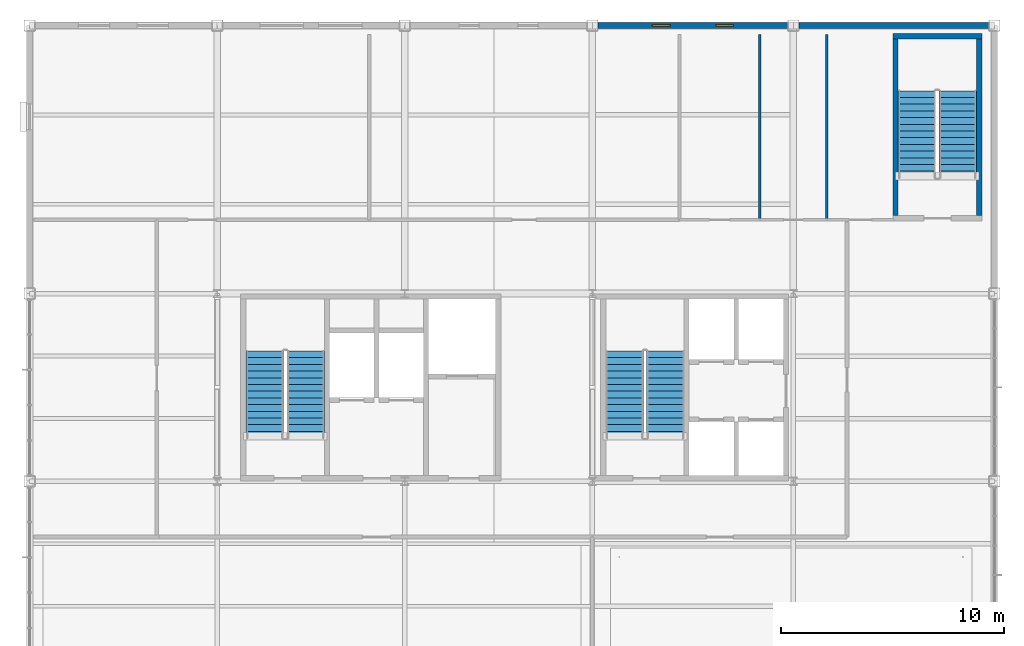
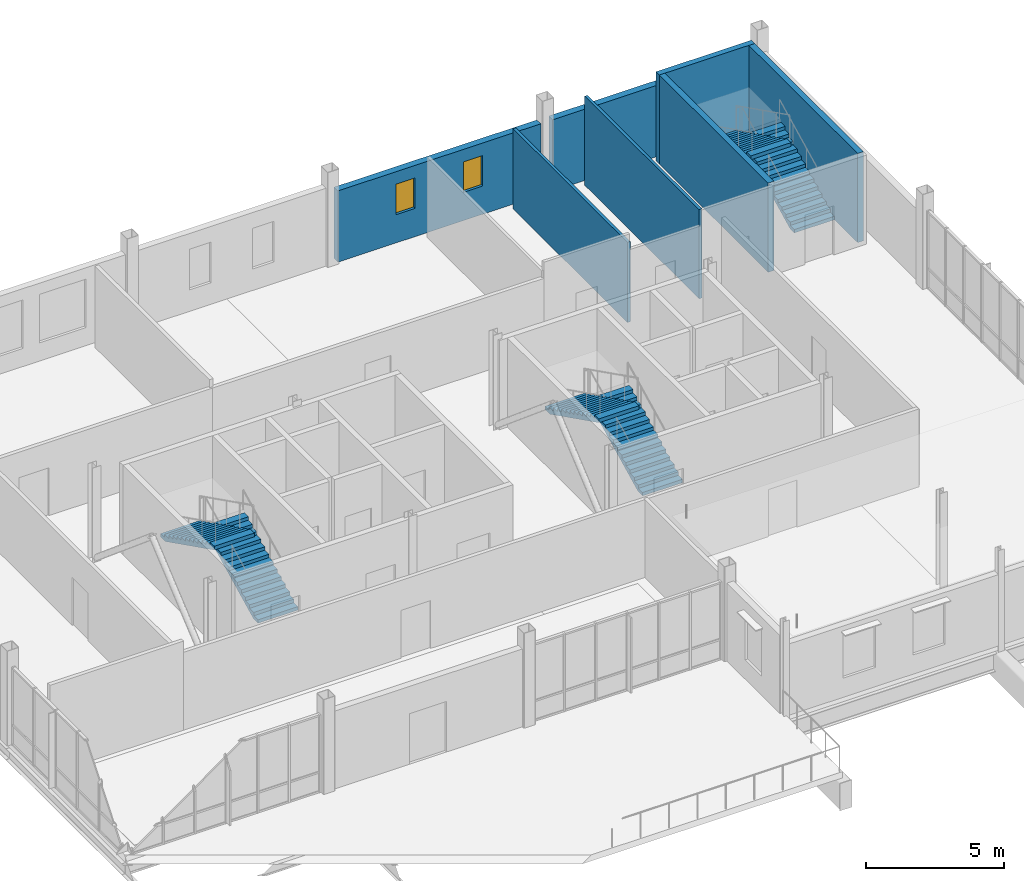
# One storey, part 16 of 22: 7 walls, 6 stair flights, 2 windows, 2 openings, 3 elements without a shape of their own.
"""IFC4 building model written with IfcOpenShell, lengths in metres."""

from ifc_helpers import new_model, si_unit, direction, frame, frame_2d, origin, place, context, subcontext, project, spatial, polyline, rectangle, outline, extrude, material, layer, layer_set, type_object, element, fill, aggregate, save


model = new_model("IFC4")

# Units and contexts
model_context = context("Model", 3, precision=1e-05, world=origin(), true_north=direction((0.0, 1.0)))
body_context = subcontext(model_context, "Body", "Model", "MODEL_VIEW")
ifc_project = project(units=[si_unit("LENGTHUNIT", "METRE"), si_unit("AREAUNIT", "SQUARE_METRE"), si_unit("VOLUMEUNIT", "CUBIC_METRE"), si_unit("PLANEANGLEUNIT", "RADIAN"), si_unit("MASSUNIT", "GRAM", prefix="KILO")], contexts=[model_context])

# Site, building, storey
site_placement = place(None, origin())
site = spatial("IfcSite", under=ifc_project, at=site_placement, CompositionType="ELEMENT")
building_placement = place(site_placement, origin())
building = spatial("IfcBuilding", under=site, at=building_placement, Name="Yukiwa Park Conservatory and Herbarium", CompositionType="ELEMENT")
storey_placement = place(building_placement, frame((0.0, 0.0, 35.39990234375)))
storey = spatial("IfcBuildingStorey", under=building, at=storey_placement, Name="L09", CompositionType="ELEMENT", Elevation=35.39990234375)

# Walls
ifc_material_1 = material(Name="Concrete C50", Category="concrete")
ifc_layer_1 = layer(ifc_material_1, 0.239990234375)
ifc_layer_set_1 = layer_set([ifc_layer_1], Name="Concrete C50")
wall_type_1 = type_object("IfcWallType", Name="WL-CORE-RC240", PredefinedType="SHEAR", material=ifc_layer_set_1)
wall_1_placement = place(storey_placement, frame((163.449951171875, 114.719970703125, 0.0), z_axis=(0.0, 0.0, 1.0), x_axis=(1.0, 0.0, 0.0)))
element("IfcWall", 1, at=wall_1_placement, inside=storey, type_object=wall_type_1, Name="L09 core shear wall 594", PredefinedType="SHEAR", context=body_context, shape_type="SweptSolid", body=[
    extrude(rectangle(XDim=3.989990234375, YDim=0.239990234375, at=frame_2d((1.9951171875, 0.0))), origin(), (0.0, 0.0, 1.0), 3.947998046875),
])
for number, where, z_axis, x_axis, name in (
    (2, (163.570068359375, 106.699951171875, 0.0), (0.0, 0.0, 1.0), (0.0, 1.0, 0.0), "L09 core shear wall 595"),
    (3, (167.320068359375, 106.699951171875, 0.0), (0.0, 0.0, 1.0), (0.0, 1.0, 0.0), "L09 core shear wall 596"),
):
    element("IfcWall", number, at=place(storey_placement, frame(where, z_axis=z_axis, x_axis=x_axis)), inside=storey, type_object=wall_type_1, Name=name, PredefinedType="SHEAR", context=body_context, shape_type="SweptSolid", body=[
        extrude(rectangle(XDim=7.900146484375, YDim=0.239990234375, at=frame_2d((3.9501953125, 0.0))), origin(), (0.0, 0.0, 1.0), 3.947998046875),
    ])
ifc_material_2 = material(Name="Pale Granite Cladding", Category="masonry")
ifc_layer_2 = layer(ifc_material_2, 0.280029296875)
ifc_layer_set_2 = layer_set([ifc_layer_2], Name="Pale Granite Cladding")
wall_type_2 = type_object("IfcWallType", Name="WL-EXT-GRAN-280", PredefinedType="SOLIDWALL", material=ifc_layer_set_2)
wall_2_placement = place(storey_placement, frame((167.75, 115.199951171875, 0.0), z_axis=(0.0, 0.0, 1.0), x_axis=(-1.0, 0.0, 0.0)))
element("IfcWall", 4, at=wall_2_placement, inside=storey, type_object=wall_type_2, Name="L09 exterior envelope wall 338", PredefinedType="SOLIDWALL", context=body_context, shape_type="SweptSolid", body=[
    extrude(rectangle(XDim=8.5, YDim=0.280029296875, at=frame_2d((4.25, 0.0))), origin(), (0.0, 0.0, 1.0), 3.156005859375),
])

# Wall, openings, windows
wall_3_placement = place(storey_placement, frame((158.75, 115.199951171875, 0.0), z_axis=(0.0, 0.0, 1.0), x_axis=(-1.0, 0.0, 0.0)))
wall_3 = element("IfcWall", 5, at=wall_3_placement, inside=storey, type_object=wall_type_2, Name="L09 exterior envelope wall 339", PredefinedType="SOLIDWALL", context=body_context, shape_type="SweptSolid", body=[
    extrude(rectangle(XDim=8.5, YDim=0.280029296875, at=frame_2d((4.25, 0.0))), origin(), (0.0, 0.0, 1.0), 3.156005859375),
])
opening_1_placement = place(wall_3_placement, frame((2.43310546875, 0.0, 1.25)))
opening_1 = element("IfcOpeningElement", 6, at=opening_1_placement, cuts=wall_3, Name="Opening W-20", PredefinedType="OPENING", context=body_context, shape_type="SweptSolid", body=[
    extrude(rectangle(XDim=0.800048828125, YDim=1.35009765625, at=frame_2d((0.39990234375, 0.675048828125))), frame((0.0, 0.14990234375, 0.0), z_axis=(0.0, -1.0, 0.0), x_axis=(1.0, 0.0, 0.0)), (0.0, 0.0, 1.0), 0.300048828125),
])
opening_2_placement = place(wall_3_placement, frame((5.26708984375, 0.0, 1.25)))
opening_2 = element("IfcOpeningElement", 7, at=opening_2_placement, cuts=wall_3, Name="Opening W-20", PredefinedType="OPENING", context=body_context, shape_type="SweptSolid", body=[
    extrude(rectangle(XDim=0.800048828125, YDim=1.35009765625, at=frame_2d((0.39990234375, 0.675048828125))), frame((0.0, 0.14990234375, 0.0), z_axis=(0.0, -1.0, 0.0), x_axis=(1.0, 0.0, 0.0)), (0.0, 0.0, 1.0), 0.300048828125),
])
ifc_material_3 = material(Name="Triple Low-E Insulated Glass", Category="glass")
window_type = type_object("IfcWindowType", Name="WN-WC-0800X1350", PartitioningType="SINGLE_PANEL", PredefinedType="WINDOW", material=ifc_material_3)
window_1_placement = place(opening_1_placement, origin())
window_1 = element("IfcWindow", 8, at=window_1_placement, inside=storey, type_object=window_type, Name="L09 deep-reveal triple-glazed window 261", OverallHeight=1.35009765625, OverallWidth=0.800048828125, PartitioningType="SINGLE_PANEL", PredefinedType="WINDOW", context=body_context, shape_type="SweptSolid", body=[
    extrude(rectangle(XDim=0.800048828125, YDim=1.35009765625, at=frame_2d((0.39990234375, 0.675048828125))), frame((0.0, 0.030029296875, 0.0), z_axis=(0.0, -1.0, 0.0), x_axis=(1.0, 0.0, 0.0)), (0.0, 0.0, 1.0), 0.06005859375),
])
fill(opening_1, window_1)
window_2_placement = place(opening_2_placement, origin())
window_2 = element("IfcWindow", 9, at=window_2_placement, inside=storey, type_object=window_type, Name="L09 deep-reveal triple-glazed window 262", OverallHeight=1.35009765625, OverallWidth=0.800048828125, PartitioningType="SINGLE_PANEL", PredefinedType="WINDOW", context=body_context, shape_type="SweptSolid", body=[
    extrude(rectangle(XDim=0.800048828125, YDim=1.35009765625, at=frame_2d((0.39990234375, 0.675048828125))), frame((0.0, 0.030029296875, 0.0), z_axis=(0.0, -1.0, 0.0), x_axis=(1.0, 0.0, 0.0)), (0.0, 0.0, 1.0), 0.06005859375),
])
fill(opening_2, window_2)

# Walls
ifc_material_4 = material(Name="Gypsum Board Partition", Category="gypsum")
ifc_layer_3 = layer(ifc_material_4, 0.1201171875)
ifc_layer_set_3 = layer_set([ifc_layer_3], Name="Gypsum Board Partition")
wall_type_3 = type_object("IfcWallType", Name="WL-PART-WET-150", PredefinedType="PARTITIONING", material=ifc_layer_set_3)
wall_4_placement = place(storey_placement, frame((157.5, 106.5, 0.0), z_axis=(0.0, 0.0, 1.0), x_axis=(0.0, 1.0, 0.0)))
element("IfcWall", 10, at=wall_4_placement, inside=storey, type_object=wall_type_3, Name="L09 interior partition wall 601", PredefinedType="PARTITIONING", context=body_context, shape_type="SweptSolid", body=[
    extrude(rectangle(XDim=8.300048828125, YDim=0.1201171875, at=frame_2d((4.14990234375, 0.0))), origin(), (0.0, 0.0, 1.0), 3.552001953125),
])
wall_5_placement = place(storey_placement, frame((160.5, 106.5, 0.0), z_axis=(0.0, 0.0, 1.0), x_axis=(0.0, 1.0, 0.0)))
element("IfcWall", 11, at=wall_5_placement, inside=storey, type_object=wall_type_3, Name="L09 interior partition wall 602", PredefinedType="PARTITIONING", context=body_context, shape_type="SweptSolid", body=[
    extrude(rectangle(XDim=8.300048828125, YDim=0.1201171875, at=frame_2d((4.14990234375, 0.0))), origin(), (0.0, 0.0, 1.0), 3.947998046875),
])

# Stair, stair flights
ifc_material_5 = material(Name="Concrete C40", Category="concrete")
stair_type_1 = type_object("IfcStairType", Name="ST-DOGLEG-ST-T1", PredefinedType="HALF_TURN_STAIR", material=ifc_material_5)
stair_1_placement = place(storey_placement, origin())
stair_1 = element("IfcStair", 12, at=stair_1_placement, inside=storey, type_object=stair_type_1, Name="L09 Protected Smoke-Proof Stair ST-T1", PredefinedType="HALF_TURN_STAIR")
ifc_material_6 = material(Name="Concrete C40", Category="concrete")
stair_flight_type = type_object("IfcStairFlightType", Name="STF-RC-1680", PredefinedType="STRAIGHT", material=ifc_material_6)
stair_flight_1_placement = place(storey_placement, frame((137.159912109375, 96.72998046875, 0.0), z_axis=(0.0, 0.0, 1.0), x_axis=(0.0, 1.0, 0.0)))
stair_flight_1 = element("IfcStairFlight", 13, at=stair_flight_1_placement, type_object=stair_flight_type, Name="ST-T1 flight 1", NumberOfRisers=14, NumberOfTreads=13, PredefinedType="STRAIGHT", RiserHeight=0.15, TreadLength=0.3, context=body_context, shape_type="SweptSolid", body=[
    extrude(outline(polyline([(0.0, 0.0), (0.0, 0.14990234375), (0.300048828125, 0.14990234375), (0.300048828125, 0.300048828125), (0.60009765625, 0.300048828125), (0.60009765625, 0.449951171875), (0.89990234375, 0.449951171875), (0.89990234375, 0.60009765625), (1.199951171875, 0.60009765625), (1.199951171875, 0.75), (1.5, 0.75), (1.5, 0.89990234375), (1.800048828125, 0.89990234375), (1.800048828125, 1.050048828125), (2.10009765625, 1.050048828125), (2.10009765625, 1.199951171875), (2.39990234375, 1.199951171875), (2.39990234375, 1.35009765625), (2.699951171875, 1.35009765625), (2.699951171875, 1.5), (3.0, 1.5), (3.0, 1.64990234375), (3.300048828125, 1.64990234375), (3.300048828125, 1.800048828125), (3.60009765625, 1.800048828125), (3.60009765625, 1.949951171875), (3.89990234375, 1.949951171875), (3.89990234375, 2.10009765625), (3.89990234375, 1.782470703125), (0.335205078125, 0.0), (0.0, 0.0)])), frame((0.0, 0.83984375, 0.0), z_axis=(0.0, -1.0, 0.0), x_axis=(1.0, 0.0, 0.0)), (0.0, 0.0, 1.0), 1.679931640625),
])
stair_flight_2_placement = place(storey_placement, frame((135.330078125, 100.6298828125, 2.10009765625), z_axis=(0.0, 0.0, 1.0), x_axis=(0.0, -1.0, 0.0)))
stair_flight_2 = element("IfcStairFlight", 14, at=stair_flight_2_placement, type_object=stair_flight_type, Name="ST-T1 flight 2", NumberOfRisers=14, NumberOfTreads=13, PredefinedType="STRAIGHT", RiserHeight=0.15, TreadLength=0.3, context=body_context, shape_type="SweptSolid", body=[
    extrude(outline(polyline([(0.0, 0.0), (0.0, 0.14990234375), (0.300048828125, 0.14990234375), (0.300048828125, 0.300048828125), (0.60009765625, 0.300048828125), (0.60009765625, 0.449951171875), (0.89990234375, 0.449951171875), (0.89990234375, 0.60009765625), (1.199951171875, 0.60009765625), (1.199951171875, 0.75), (1.5, 0.75), (1.5, 0.89990234375), (1.800048828125, 0.89990234375), (1.800048828125, 1.050048828125), (2.10009765625, 1.050048828125), (2.10009765625, 1.199951171875), (2.39990234375, 1.199951171875), (2.39990234375, 1.35009765625), (2.699951171875, 1.35009765625), (2.699951171875, 1.5), (3.0, 1.5), (3.0, 1.64990234375), (3.300048828125, 1.64990234375), (3.300048828125, 1.800048828125), (3.60009765625, 1.800048828125), (3.60009765625, 1.949951171875), (3.89990234375, 1.949951171875), (3.89990234375, 2.10009765625), (3.89990234375, 1.782470703125), (0.335205078125, 0.0), (0.0, 0.0)])), frame((0.0, 0.83984375, 0.0), z_axis=(0.0, -1.0, 0.0), x_axis=(1.0, 0.0, 0.0)), (0.0, 0.0, 1.0), 1.679931640625),
])
aggregate(stair_1, [stair_flight_1, stair_flight_2])

ifc_material_7 = material(Name="Concrete C40", Category="concrete")
stair_type_2 = type_object("IfcStairType", Name="ST-DOGLEG-ST-T2", PredefinedType="HALF_TURN_STAIR", material=ifc_material_7)
stair_2_placement = place(storey_placement, origin())
stair_2 = element("IfcStair", 15, at=stair_2_placement, inside=storey, type_object=stair_type_2, Name="L09 Protected Smoke-Proof Stair ST-T2", PredefinedType="HALF_TURN_STAIR")
stair_flight_3_placement = place(storey_placement, frame((153.27001953125, 96.72998046875, 0.0), z_axis=(0.0, 0.0, 1.0), x_axis=(0.0, 1.0, 0.0)))
stair_flight_3 = element("IfcStairFlight", 16, at=stair_flight_3_placement, type_object=stair_flight_type, Name="ST-T2 flight 1", NumberOfRisers=14, NumberOfTreads=13, PredefinedType="STRAIGHT", RiserHeight=0.15, TreadLength=0.3, context=body_context, shape_type="SweptSolid", body=[
    extrude(outline(polyline([(0.0, 0.0), (0.0, 0.14990234375), (0.300048828125, 0.14990234375), (0.300048828125, 0.300048828125), (0.60009765625, 0.300048828125), (0.60009765625, 0.449951171875), (0.89990234375, 0.449951171875), (0.89990234375, 0.60009765625), (1.199951171875, 0.60009765625), (1.199951171875, 0.75), (1.5, 0.75), (1.5, 0.89990234375), (1.800048828125, 0.89990234375), (1.800048828125, 1.050048828125), (2.10009765625, 1.050048828125), (2.10009765625, 1.199951171875), (2.39990234375, 1.199951171875), (2.39990234375, 1.35009765625), (2.699951171875, 1.35009765625), (2.699951171875, 1.5), (3.0, 1.5), (3.0, 1.64990234375), (3.300048828125, 1.64990234375), (3.300048828125, 1.800048828125), (3.60009765625, 1.800048828125), (3.60009765625, 1.949951171875), (3.89990234375, 1.949951171875), (3.89990234375, 2.10009765625), (3.89990234375, 1.782470703125), (0.335205078125, 0.0), (0.0, 0.0)])), frame((0.0, 0.83984375, 0.0), z_axis=(0.0, -1.0, 0.0), x_axis=(1.0, 0.0, 0.0)), (0.0, 0.0, 1.0), 1.679931640625),
])
stair_flight_4_placement = place(storey_placement, frame((151.43994140625, 100.6298828125, 2.10009765625), z_axis=(0.0, 0.0, 1.0), x_axis=(0.0, -1.0, 0.0)))
stair_flight_4 = element("IfcStairFlight", 17, at=stair_flight_4_placement, type_object=stair_flight_type, Name="ST-T2 flight 2", NumberOfRisers=14, NumberOfTreads=13, PredefinedType="STRAIGHT", RiserHeight=0.15, TreadLength=0.3, context=body_context, shape_type="SweptSolid", body=[
    extrude(outline(polyline([(0.0, 0.0), (0.0, 0.14990234375), (0.300048828125, 0.14990234375), (0.300048828125, 0.300048828125), (0.60009765625, 0.300048828125), (0.60009765625, 0.449951171875), (0.89990234375, 0.449951171875), (0.89990234375, 0.60009765625), (1.199951171875, 0.60009765625), (1.199951171875, 0.75), (1.5, 0.75), (1.5, 0.89990234375), (1.800048828125, 0.89990234375), (1.800048828125, 1.050048828125), (2.10009765625, 1.050048828125), (2.10009765625, 1.199951171875), (2.39990234375, 1.199951171875), (2.39990234375, 1.35009765625), (2.699951171875, 1.35009765625), (2.699951171875, 1.5), (3.0, 1.5), (3.0, 1.64990234375), (3.300048828125, 1.64990234375), (3.300048828125, 1.800048828125), (3.60009765625, 1.800048828125), (3.60009765625, 1.949951171875), (3.89990234375, 1.949951171875), (3.89990234375, 2.10009765625), (3.89990234375, 1.782470703125), (0.335205078125, 0.0), (0.0, 0.0)])), frame((0.0, 0.83984375, 0.0), z_axis=(0.0, -1.0, 0.0), x_axis=(1.0, 0.0, 0.0)), (0.0, 0.0, 1.0), 1.679931640625),
])
aggregate(stair_2, [stair_flight_3, stair_flight_4])

ifc_material_8 = material(Name="Concrete C40", Category="concrete")
stair_type_3 = type_object("IfcStairType", Name="ST-DOGLEG-ST-T3", PredefinedType="HALF_TURN_STAIR", material=ifc_material_8)
stair_3_placement = place(storey_placement, origin())
stair_3 = element("IfcStair", 18, at=stair_3_placement, inside=storey, type_object=stair_type_3, Name="L09 Protected Smoke-Proof Stair ST-T3", PredefinedType="HALF_TURN_STAIR")
stair_flight_5_placement = place(storey_placement, frame((166.360107421875, 108.3798828125, 0.0), z_axis=(0.0, 0.0, 1.0), x_axis=(0.0, 1.0, 0.0)))
stair_flight_5 = element("IfcStairFlight", 19, at=stair_flight_5_placement, type_object=stair_flight_type, Name="ST-T3 flight 1", NumberOfRisers=14, NumberOfTreads=13, PredefinedType="STRAIGHT", RiserHeight=0.15, TreadLength=0.3, context=body_context, shape_type="SweptSolid", body=[
    extrude(outline(polyline([(0.0, 0.0), (0.0, 0.14990234375), (0.300048828125, 0.14990234375), (0.300048828125, 0.300048828125), (0.60009765625, 0.300048828125), (0.60009765625, 0.449951171875), (0.89990234375, 0.449951171875), (0.89990234375, 0.60009765625), (1.199951171875, 0.60009765625), (1.199951171875, 0.75), (1.5, 0.75), (1.5, 0.89990234375), (1.800048828125, 0.89990234375), (1.800048828125, 1.050048828125), (2.10009765625, 1.050048828125), (2.10009765625, 1.199951171875), (2.39990234375, 1.199951171875), (2.39990234375, 1.35009765625), (2.699951171875, 1.35009765625), (2.699951171875, 1.5), (3.0, 1.5), (3.0, 1.64990234375), (3.300048828125, 1.64990234375), (3.300048828125, 1.800048828125), (3.60009765625, 1.800048828125), (3.60009765625, 1.949951171875), (3.89990234375, 1.949951171875), (3.89990234375, 2.10009765625), (3.89990234375, 1.782470703125), (0.335205078125, 0.0), (0.0, 0.0)])), frame((0.0, 0.83984375, 0.0), z_axis=(0.0, -1.0, 0.0), x_axis=(1.0, 0.0, 0.0)), (0.0, 0.0, 1.0), 1.679931640625),
])
stair_flight_6_placement = place(storey_placement, frame((164.530029296875, 112.280029296875, 2.10009765625), z_axis=(0.0, 0.0, 1.0), x_axis=(0.0, -1.0, 0.0)))
stair_flight_6 = element("IfcStairFlight", 20, at=stair_flight_6_placement, type_object=stair_flight_type, Name="ST-T3 flight 2", NumberOfRisers=14, NumberOfTreads=13, PredefinedType="STRAIGHT", RiserHeight=0.15, TreadLength=0.3, context=body_context, shape_type="SweptSolid", body=[
    extrude(outline(polyline([(0.0, 0.0), (0.0, 0.14990234375), (0.300048828125, 0.14990234375), (0.300048828125, 0.300048828125), (0.60009765625, 0.300048828125), (0.60009765625, 0.449951171875), (0.89990234375, 0.449951171875), (0.89990234375, 0.60009765625), (1.199951171875, 0.60009765625), (1.199951171875, 0.75), (1.5, 0.75), (1.5, 0.89990234375), (1.800048828125, 0.89990234375), (1.800048828125, 1.050048828125), (2.10009765625, 1.050048828125), (2.10009765625, 1.199951171875), (2.39990234375, 1.199951171875), (2.39990234375, 1.35009765625), (2.699951171875, 1.35009765625), (2.699951171875, 1.5), (3.0, 1.5), (3.0, 1.64990234375), (3.300048828125, 1.64990234375), (3.300048828125, 1.800048828125), (3.60009765625, 1.800048828125), (3.60009765625, 1.949951171875), (3.89990234375, 1.949951171875), (3.89990234375, 2.10009765625), (3.89990234375, 1.782470703125), (0.335205078125, 0.0), (0.0, 0.0)])), frame((0.0, 0.83984375, 0.0), z_axis=(0.0, -1.0, 0.0), x_axis=(1.0, 0.0, 0.0)), (0.0, 0.0, 1.0), 1.679931640625),
])
aggregate(stair_3, [stair_flight_5, stair_flight_6])

save(model, "model.ifc")
